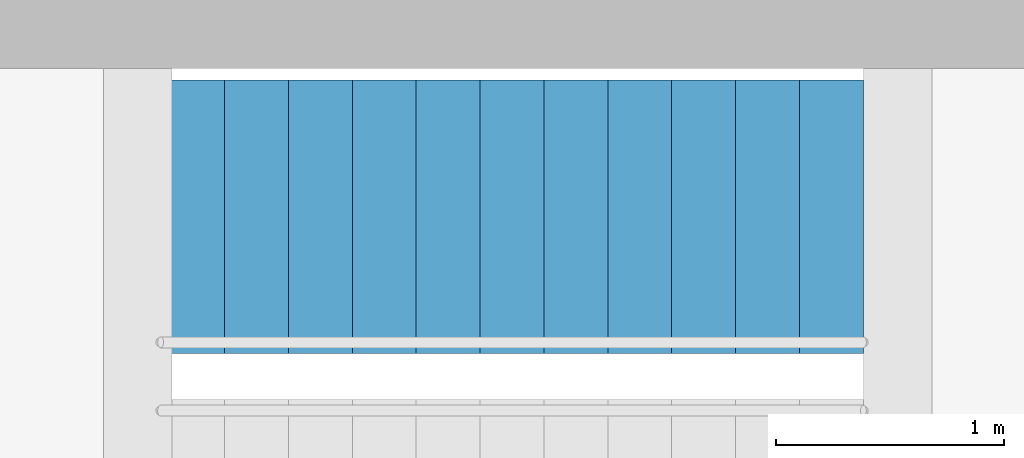
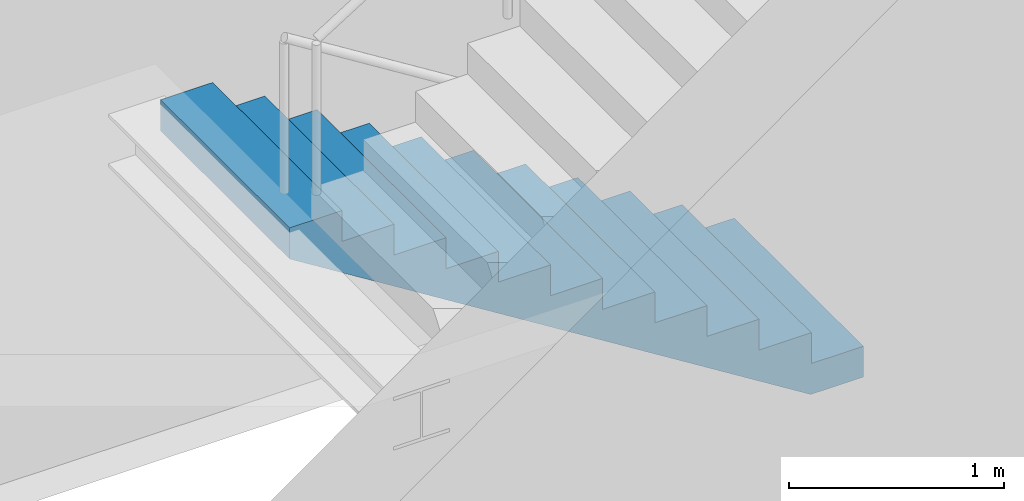
# One storey, part 14 of 15: 1 stair flight, 1 element without a shape of its own.
"""IFC4 building model written with IfcOpenShell, lengths in metres."""

from ifc_helpers import new_model, si_unit, direction, frame, origin, place, context, subcontext, project, spatial, polyline, outline, extrude, material, type_object, element, aggregate, save


model = new_model("IFC4")

# Units and contexts
model_context = context("Model", 3, precision=1e-05, world=origin(), true_north=direction((0.0, 1.0)))
body_context = subcontext(model_context, "Body", "Model", "MODEL_VIEW")
ifc_project = project(units=[si_unit("LENGTHUNIT", "METRE"), si_unit("AREAUNIT", "SQUARE_METRE"), si_unit("VOLUMEUNIT", "CUBIC_METRE"), si_unit("PLANEANGLEUNIT", "RADIAN"), si_unit("MASSUNIT", "GRAM", prefix="KILO")], contexts=[model_context])

# Site, building, storey
site_placement = place(None, origin())
site = spatial("IfcSite", under=ifc_project, at=site_placement, CompositionType="ELEMENT")
building_placement = place(site_placement, origin())
building = spatial("IfcBuilding", under=site, at=building_placement, Name="Rheinbord Bourse Tower", CompositionType="ELEMENT")
storey_placement = place(building_placement, frame((0.0, 0.0, 215.199951171875)))
storey = spatial("IfcBuildingStorey", under=building, at=storey_placement, Name="L48", CompositionType="ELEMENT", Elevation=215.199951171875)

# Stair, stair flight
ifc_material_1 = material(Name="Concrete C30/37", Category="concrete")
stair_type = type_object("IfcStairType", Name="CORE STAIR HALF TURN 4200", PredefinedType="HALF_TURN_STAIR", material=ifc_material_1)
stair_placement = place(storey_placement, origin())
stair = element("IfcStair", 1, at=stair_placement, inside=storey, type_object=stair_type, Name="Stair ST4 L48, type CS6", PredefinedType="HALF_TURN_STAIR")
ifc_material_2 = material(Name="Concrete C30/37", Category="concrete")
stair_flight_type = type_object("IfcStairFlightType", Name="CORE STAIR FLIGHT 1200, 12 RISERS", PredefinedType="STRAIGHT", material=ifc_material_2)
stair_flight_placement = place(storey_placement, frame((52.050048828125, 30.949951171875, 0.0), z_axis=(0.0, 0.0, 1.0), x_axis=(-1.0, 0.0, 0.0)))
stair_flight = element("IfcStairFlight", 2, at=stair_flight_placement, type_object=stair_flight_type, Name="STAIR L48 ST4 F1", NumberOfRisers=12, NumberOfTreads=11, PredefinedType="STRAIGHT", RiserHeight=0.175, TreadLength=0.28, context=body_context, shape_type="SweptSolid", body=[
    extrude(outline(polyline([(0.0, 0.0), (0.0, 0.175048828125), (0.280029296875, 0.175048828125), (0.280029296875, 0.35009765625), (0.56005859375, 0.35009765625), (0.56005859375, 0.52490234375), (0.840087890625, 0.52490234375), (0.840087890625, 0.699951171875), (1.1201171875, 0.699951171875), (1.1201171875, 0.875), (1.39990234375, 0.875), (1.39990234375, 1.050048828125), (1.679931640625, 1.050048828125), (1.679931640625, 1.22509765625), (1.9599609375, 1.22509765625), (1.9599609375, 1.39990234375), (2.239990234375, 1.39990234375), (2.239990234375, 1.574951171875), (2.52001953125, 1.574951171875), (2.52001953125, 1.75), (2.800048828125, 1.75), (2.800048828125, 1.925048828125), (3.080078125, 1.925048828125), (3.080078125, 2.10009765625), (3.080078125, 1.748291015625), (0.28271484375, 0.0), (0.0, 0.0)])), frame((0.0, 0.60009765625, 0.0), z_axis=(0.0, -1.0, 0.0), x_axis=(1.0, 0.0, 0.0)), (0.0, 0.0, 1.0), 1.199951171875),
])
aggregate(stair, [stair_flight])

save(model, "model.ifc")
